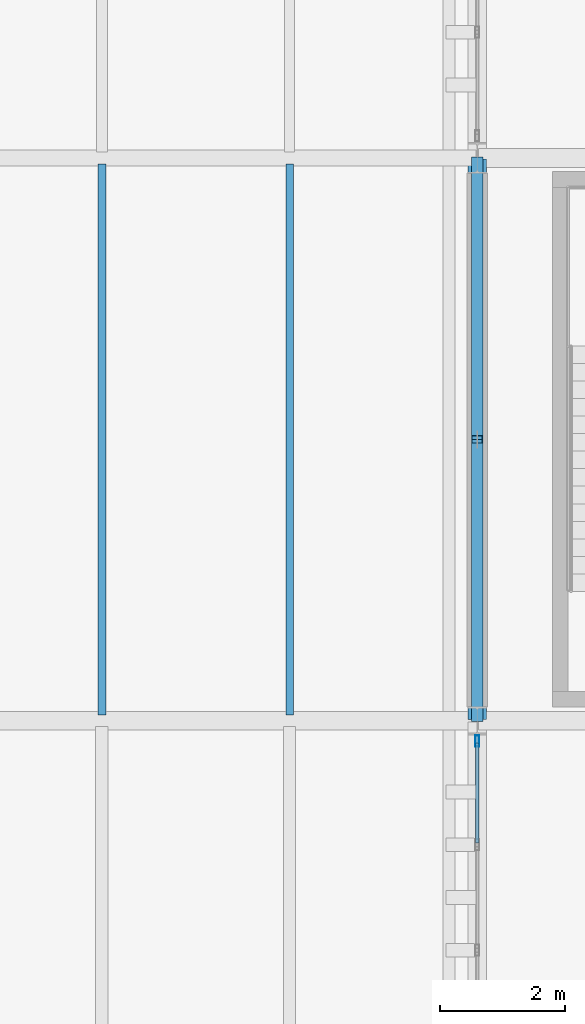
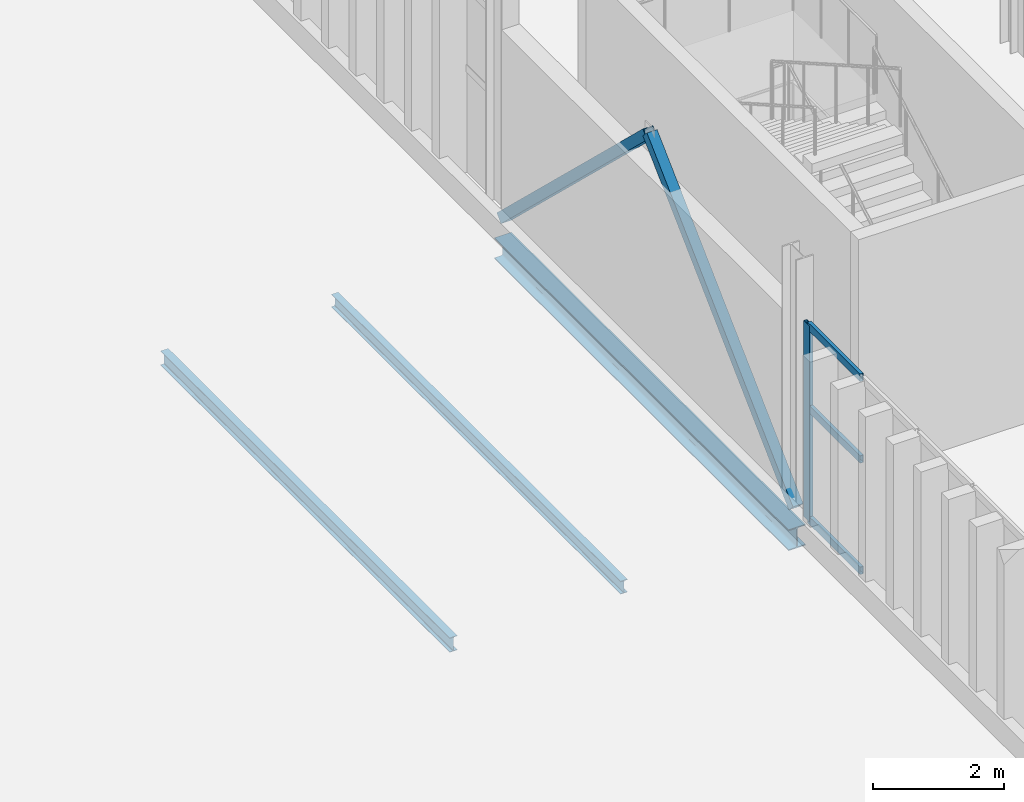
# One storey, part 89 of 196: 6 members, 3 beams, 1 element without a shape of its own.
"""IFC4 building model written with IfcOpenShell, lengths in metres."""

from ifc_helpers import new_model, si_unit, direction, frame, origin, origin_2d, place, context, subcontext, project, spatial, hollow_rectangle, i_section, extrude, material, layer, layer_set, material_profile, profile_set, type_object, element, aggregate, save


model = new_model("IFC4")

# Units and contexts
model_context = context("Model", 3, precision=1e-05, world=origin(), true_north=direction((0.0, 1.0)))
body_context = subcontext(model_context, "Body", "Model", "MODEL_VIEW")
ifc_project = project(units=[si_unit("LENGTHUNIT", "METRE"), si_unit("AREAUNIT", "SQUARE_METRE"), si_unit("VOLUMEUNIT", "CUBIC_METRE"), si_unit("PLANEANGLEUNIT", "RADIAN"), si_unit("MASSUNIT", "GRAM", prefix="KILO")], contexts=[model_context])

# Site, building, storey
site_placement = place(None, origin())
site = spatial("IfcSite", under=ifc_project, at=site_placement, CompositionType="ELEMENT")
building_placement = place(site_placement, origin())
building = spatial("IfcBuilding", under=site, at=building_placement, Name="Barlavento Convention Centre", CompositionType="ELEMENT")
storey_placement = place(building_placement, frame((0.0, 0.0, 18.0)))
storey = spatial("IfcBuildingStorey", under=building, at=storey_placement, Name="L03", CompositionType="ELEMENT", Elevation=18.0)

# Curtain wall, members
ifc_material_1 = material(Name="Powder-coated aluminium and Low-E glass", Category="aluminium")
ifc_layer = layer(ifc_material_1, 0.179931640625)
ifc_layer_set = layer_set([ifc_layer], Name="ARC-CW-CONF-L03")
curtain_wall_type = type_object("IfcCurtainWallType", Name="ARC-CW-CONF-L03", PredefinedType="NOTDEFINED", material=ifc_layer_set)
curtain_wall_placement = place(storey_placement, origin())
curtain_wall = element("IfcCurtainWall", 1, at=curtain_wall_placement, inside=storey, type_object=curtain_wall_type, Name="L03 unitised curtain wall CW08", PredefinedType="NOTDEFINED")
ifc_material_2 = material(Name="Powder-coated aluminium", Category="aluminium")
ifc_material_profile_1 = material_profile(ifc_material_2, hollow_rectangle(XDim=0.06005859375, YDim=0.179931640625, WallThickness=0.0048828125, at=origin_2d()), Name="AL-MULL 60x180x5")
ifc_profile_set_1 = profile_set([ifc_material_profile_1], Name="Powder-coated aluminium")
member_type_1 = type_object("IfcMemberType", Name="ARC-CWM-60X180", PredefinedType="MULLION", material=ifc_profile_set_1)
member_1_placement = place(storey_placement, frame((126.0, 80.675048828125, 0.0), z_axis=(0.0, 0.0, 1.0), x_axis=(-1.0, 0.0, 0.0)))
member_1 = element("IfcMember", 2, at=member_1_placement, type_object=member_type_1, Name="CW08 mullion 6", PredefinedType="MULLION", context=body_context, shape_type="SweptSolid", body=[
    extrude(hollow_rectangle(XDim=0.06005859375, YDim=0.179931640625, WallThickness=0.0048828125, at=origin_2d()), origin(), (0.0, 0.0, 1.0), 3.64990234375),
])
ifc_material_profile_2 = material_profile(ifc_material_2, hollow_rectangle(XDim=0.06005859375, YDim=0.139892578125, WallThickness=0.00390625, at=origin_2d()), Name="AL-TRAN 60x140x4")
ifc_profile_set_2 = profile_set([ifc_material_profile_2], Name="Powder-coated aluminium")
member_type_2 = type_object("IfcMemberType", Name="ARC-CWT-60X140", PredefinedType="USERDEFINED", material=ifc_profile_set_2)
member_2_placement = place(storey_placement, frame((126.0, 79.048095703125, 0.030029296875), z_axis=(0.0, 1.0, 0.0), x_axis=(-1.0, 0.0, 0.0)))
member_2 = element("IfcMember", 3, at=member_2_placement, type_object=member_type_2, Name="CW08 transom 5.1", ObjectType="TRANSOM", PredefinedType="USERDEFINED", context=body_context, shape_type="SweptSolid", body=[
    extrude(hollow_rectangle(XDim=0.06005859375, YDim=0.139892578125, WallThickness=0.00390625, at=origin_2d()), origin(), (0.0, 0.0, 1.0), 1.596923828125),
])
member_3_placement = place(storey_placement, frame((126.0, 79.048095703125, 2.10009765625), z_axis=(0.0, 1.0, 0.0), x_axis=(-1.0, 0.0, 0.0)))
member_3 = element("IfcMember", 4, at=member_3_placement, type_object=member_type_2, Name="CW08 transom 5.2", ObjectType="TRANSOM", PredefinedType="USERDEFINED", context=body_context, shape_type="SweptSolid", body=[
    extrude(hollow_rectangle(XDim=0.06005859375, YDim=0.139892578125, WallThickness=0.00390625, at=origin_2d()), origin(), (0.0, 0.0, 1.0), 1.596923828125),
])
member_4_placement = place(storey_placement, frame((126.0, 79.048095703125, 3.6201171875), z_axis=(0.0, 1.0, 0.0), x_axis=(-1.0, 0.0, 0.0)))
member_4 = element("IfcMember", 5, at=member_4_placement, type_object=member_type_2, Name="CW08 transom 5.3", ObjectType="TRANSOM", PredefinedType="USERDEFINED", context=body_context, shape_type="SweptSolid", body=[
    extrude(hollow_rectangle(XDim=0.06005859375, YDim=0.139892578125, WallThickness=0.00390625, at=origin_2d()), origin(), (0.0, 0.0, 1.0), 1.596923828125),
])
aggregate(curtain_wall, [member_1, member_2, member_3, member_4])

# Beams
ifc_material_3 = material(Name="Steel S355", Category="steel")
ifc_material_profile_3 = material_profile(ifc_material_3, i_section(OverallWidth=0.1201171875, OverallDepth=0.239990234375, WebThickness=0.006103515625, FlangeThickness=0.009765625, FilletRadius=0.014892578125, at=origin_2d()), Name="IPE 240")
ifc_profile_set_3 = profile_set([ifc_material_profile_3], Name="Steel S355")
beam_type_1 = type_object("IfcBeamType", Name="STR-BM-JST-IPE240", PredefinedType="JOIST", material=ifc_profile_set_3)
beam_1_placement = place(storey_placement, frame((123.0, 81.094970703125, -0.465087890625), z_axis=(0.0, 1.0, 0.0), x_axis=(-1.0, 0.0, 0.0)))
element("IfcBeam", 6, at=beam_1_placement, inside=storey, type_object=beam_type_1, Name="L03 composite floor joist SJ09", PredefinedType="JOIST", context=body_context, shape_type="SweptSolid", body=[
    extrude(i_section(OverallWidth=0.1201171875, OverallDepth=0.239990234375, WebThickness=0.006103515625, FlangeThickness=0.009765625, FilletRadius=0.014892578125, at=origin_2d()), origin(), (0.0, 0.0, 1.0), 8.81005859375),
])
ifc_material_profile_4 = material_profile(ifc_material_3, i_section(OverallWidth=0.135009765625, OverallDepth=0.27001953125, WebThickness=0.006591796875, FlangeThickness=0.01025390625, FilletRadius=0.014892578125, at=origin_2d()), Name="IPE 270")
ifc_profile_set_4 = profile_set([ifc_material_profile_4], Name="Steel S355")
beam_type_2 = type_object("IfcBeamType", Name="STR-BM-JST-IPE270", PredefinedType="JOIST", material=ifc_profile_set_4)
beam_2_placement = place(storey_placement, frame((120.0, 81.094970703125, -0.47998046875), z_axis=(0.0, 1.0, 0.0), x_axis=(-1.0, 0.0, 0.0)))
element("IfcBeam", 7, at=beam_2_placement, inside=storey, type_object=beam_type_2, Name="L03 composite floor joist SJ08", PredefinedType="JOIST", context=body_context, shape_type="SweptSolid", body=[
    extrude(i_section(OverallWidth=0.135009765625, OverallDepth=0.27001953125, WebThickness=0.006591796875, FlangeThickness=0.01025390625, FilletRadius=0.014892578125, at=origin_2d()), origin(), (0.0, 0.0, 1.0), 8.81005859375),
])
ifc_material_profile_5 = material_profile(ifc_material_3, i_section(OverallWidth=0.300048828125, OverallDepth=0.389892578125, WebThickness=0.010986328125, FlangeThickness=0.01904296875, FilletRadius=0.027099609375, at=origin_2d()), Name="HEA 400")
ifc_profile_set_5 = profile_set([ifc_material_profile_5], Name="Steel S355")
beam_type_3 = type_object("IfcBeamType", Name="STR-BM-PRI-HEA400", PredefinedType="BEAM", material=ifc_profile_set_5)
beam_3_placement = place(storey_placement, frame((126.0, 81.02001953125, -0.554931640625), z_axis=(0.0, 1.0, 0.0), x_axis=(-1.0, 0.0, 0.0)))
element("IfcBeam", 8, at=beam_3_placement, inside=storey, type_object=beam_type_3, Name="L03 grid girder BG22", PredefinedType="BEAM", context=body_context, shape_type="SweptSolid", body=[
    extrude(i_section(OverallWidth=0.300048828125, OverallDepth=0.389892578125, WebThickness=0.010986328125, FlangeThickness=0.01904296875, FilletRadius=0.027099609375, at=origin_2d()), origin(), (0.0, 0.0, 1.0), 8.9599609375),
])

# Members
ifc_material_profile_6 = material_profile(ifc_material_3, hollow_rectangle(XDim=0.179931640625, YDim=0.179931640625, WallThickness=0.010009765625, at=origin_2d()), Name="SHS 180x180x10.0")
ifc_profile_set_6 = profile_set([ifc_material_profile_6], Name="Steel S355")
member_type_3 = type_object("IfcMemberType", Name="STR-MEM-BRC-SHS180", PredefinedType="BRACE", material=ifc_profile_set_6)
for number, where, z_axis, x_axis, name in (
    (9, (126.0, 81.050048828125, 0.0), (0.0, 0.722355183884, 0.691522225468), (-1.0, 0.0, 0.0), "Concentric lateral chevron brace BF03"),
    (10, (126.0, 89.949951171875, 0.0), (0.0, -0.722355183884, 0.691522225468), (1.0, 0.0, 0.0), "Concentric lateral chevron brace BF03"),
):
    element("IfcMember", number, at=place(storey_placement, frame(where, z_axis=z_axis, x_axis=x_axis)), inside=storey, type_object=member_type_3, Name=name, PredefinedType="BRACE", context=body_context, shape_type="SweptSolid", body=[
        extrude(hollow_rectangle(XDim=0.179931640625, YDim=0.179931640625, WallThickness=0.010009765625, at=origin_2d()), origin(), (0.0, 0.0, 1.0), 6.160400390625),
    ])

save(model, "model.ifc")
